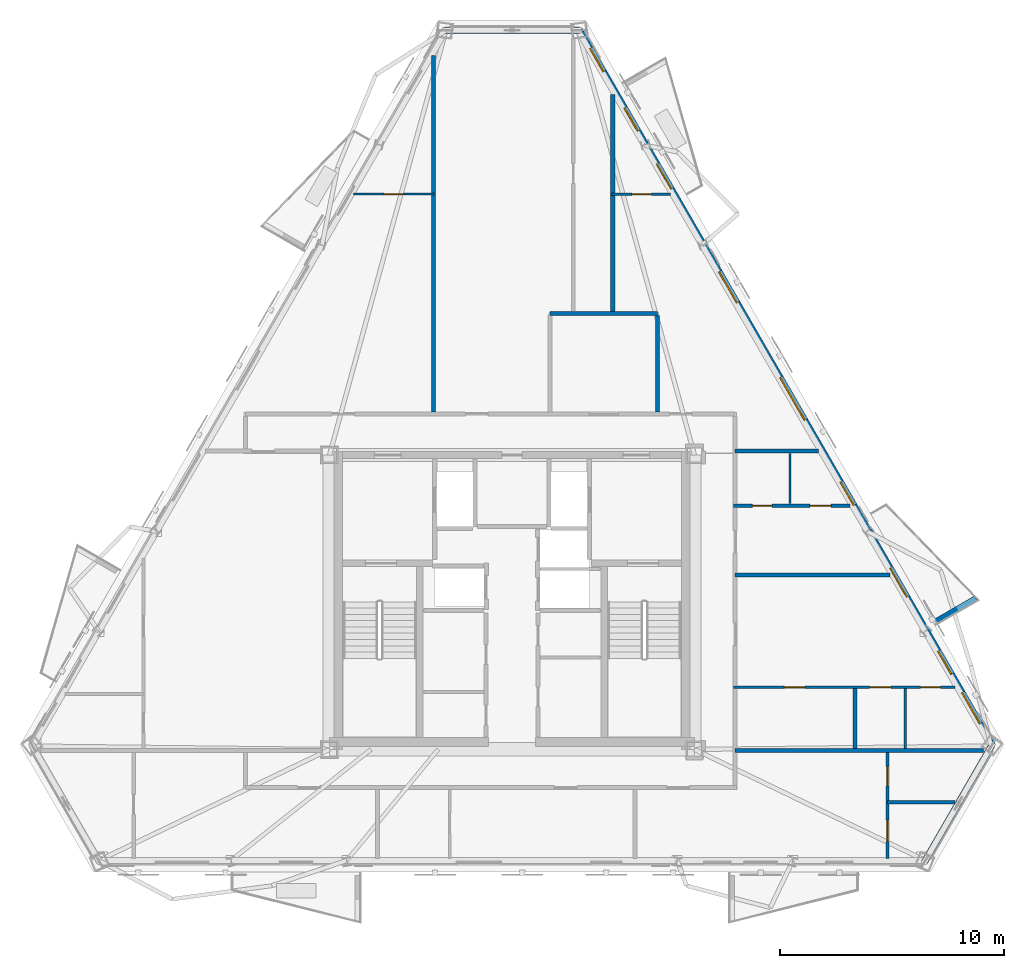
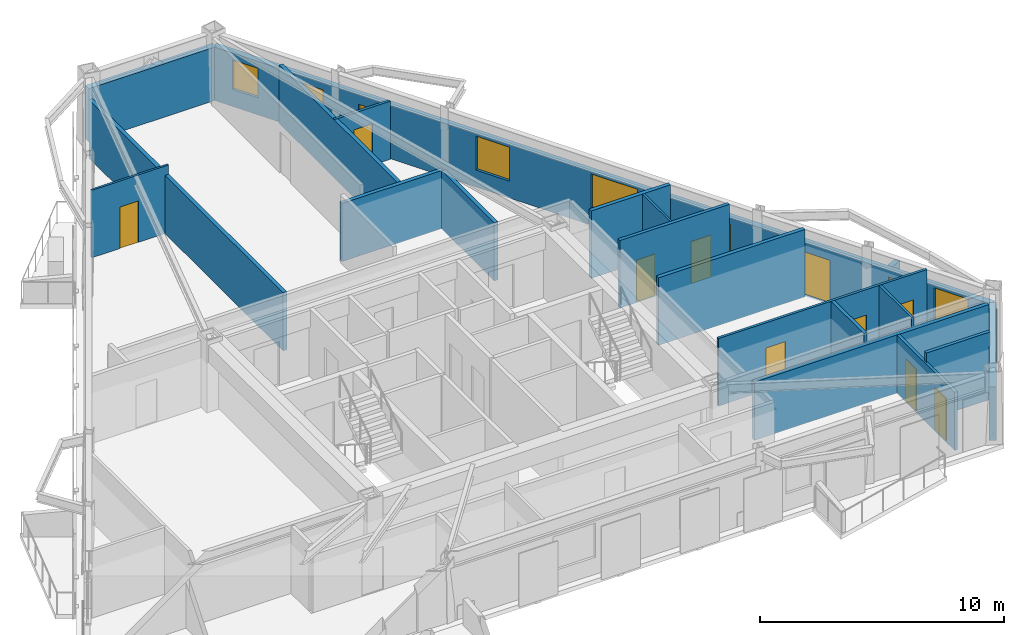
# One storey, part 5 of 9: 20 walls, 11 doors, 7 windows, 18 openings.
"""IFC4 building model written with IfcOpenShell, lengths in metres."""

import ifcopenshell
import ifcopenshell.guid

model = None  # the IFC model being written
_history = None  # IfcOwnerHistory: only IFC2X3 demands one
_inside = {}  # id of a spatial element -> (the spatial element, [elements in it])
_under = {}  # id of a project, library or spatial element -> (it, [spatial elements below it])
_declared = {}  # id of a project -> (the project, [libraries it declares])
_typed = {}  # id of a type object -> (the type object, [elements of that type])
_made_of = {}  # id of a material, layer set ... -> (it, [elements and type objects made of it])


def new_model(schema):
    """Start an empty IFC model of exactly this schema.

    Asked for "IFC4X3", IfcOpenShell would pick the latest addendum, in which some entities
    have other attributes; the version numbers below select the first issue.
    IFC2X3 requires an IfcOwnerHistory on every rooted entity: one is made here for all.
    """
    global model, _history
    if schema == "IFC4X3":
        model = ifcopenshell.file(schema_version=(4, 3, 0, 0))
    else:
        model = ifcopenshell.file(schema=schema)
    _inside.clear()
    _under.clear()
    _declared.clear()
    _typed.clear()
    _made_of.clear()
    _history = None
    if model.schema == "IFC2X3":
        org = make("IfcOrganization", Name="unknown")
        user = make(
            "IfcPersonAndOrganization",
            ThePerson=make("IfcPerson", FamilyName="unknown"),
            TheOrganization=org,
        )
        app = make(
            "IfcApplication",
            ApplicationDeveloper=org,
            Version="unknown",
            ApplicationFullName="unknown",
            ApplicationIdentifier="unknown",
        )
        _history = make(
            "IfcOwnerHistory",
            OwningUser=user,
            OwningApplication=app,
            ChangeAction="ADDED",
            CreationDate=0,
        )
    return model


def make(cls, **values):
    """One entity of the class cls with the attributes given. An attribute that is None is left unset."""
    return model.create_entity(
        cls, **{name: value for name, value in values.items() if value is not None}
    )


def rooted(cls, **values):
    """An entity with a GlobalId (a new one), such as an element, a storey or a relation."""
    return make(cls, GlobalId=ifcopenshell.guid.new(), OwnerHistory=_history, **values)


def si_unit(unit_type, name, prefix=None):
    """IfcSIUnit, for example si_unit("LENGTHUNIT", "METRE", prefix="MILLI")."""
    return make("IfcSIUnit", UnitType=unit_type, Prefix=prefix, Name=name)


def assignment(units):
    """IfcUnitAssignment: the units of a project."""
    return None if units is None else make("IfcUnitAssignment", Units=units)


def point(xyz):
    """IfcCartesianPoint."""
    return None if xyz is None else make("IfcCartesianPoint", Coordinates=xyz)


def direction(xyz):
    """IfcDirection."""
    return None if xyz is None else make("IfcDirection", DirectionRatios=xyz)


def frame(location, z_axis=None, x_axis=None):
    """IfcAxis2Placement3D, a coordinate frame: its origin and axes. An axis left out is left unset."""
    return make(
        "IfcAxis2Placement3D",
        Location=point(location),
        Axis=direction(z_axis),
        RefDirection=direction(x_axis),
    )


def frame_2d(location, x_axis=None):
    """IfcAxis2Placement2D, a coordinate frame in the plane: its origin and x axis."""
    return make(
        "IfcAxis2Placement2D", Location=point(location), RefDirection=direction(x_axis)
    )


def origin():
    """The frame at (0, 0, 0) with its axes left unset."""
    return frame((0.0, 0.0, 0.0))


def place(relative_to, where):
    """IfcLocalPlacement: puts the frame where relative to a parent placement (None: the world)."""
    return make(
        "IfcLocalPlacement", PlacementRelTo=relative_to, RelativePlacement=where
    )


def context(
    kind, dimensions, precision=None, world=None, true_north=None, identifier=None
):
    """IfcGeometricRepresentationContext, for example the 3D "Model" context."""
    return make(
        "IfcGeometricRepresentationContext",
        ContextIdentifier=identifier,
        ContextType=kind,
        CoordinateSpaceDimension=dimensions,
        Precision=precision,
        WorldCoordinateSystem=world,
        TrueNorth=true_north,
    )


def subcontext(parent, identifier, kind, view, scale=None):
    """IfcGeometricRepresentationSubContext, for example "Body" below "Model"."""
    return make(
        "IfcGeometricRepresentationSubContext",
        ContextIdentifier=identifier,
        ContextType=kind,
        ParentContext=parent,
        TargetScale=scale,
        TargetView=view,
    )


def project(units=None, contexts=None):
    """IfcProject with its units and contexts."""
    return rooted(
        "IfcProject",
        Name="project",
        RepresentationContexts=contexts,
        UnitsInContext=assignment(units),
    )


def spatial(cls, under=None, at=None, **own):
    """A site, building, storey or space (cls), placed at a placement, below another one or the project."""
    s = rooted(cls, ObjectPlacement=at, **own)
    if under is not None:
        _under.setdefault(under.id(), (under, []))[1].append(s)
    return s


def polyline(points):
    """IfcPolyline through the points."""
    return make("IfcPolyline", Points=[point(p) for p in points])


def profile(cls, at=None, kind="AREA", **sizes):
    """A parametric profile (cls). Its sizes go by their IFC names, for example OverallWidth=200.0."""
    return make(cls, ProfileType=kind, Position=at, **sizes)


def rectangle(**sizes):
    """IfcRectangleProfileDef."""
    return profile("IfcRectangleProfileDef", **sizes)


def outline(outer, holes=None, kind="AREA"):
    """IfcArbitraryClosedProfileDef: a profile drawn as a closed curve; with holes, ...WithVoids."""
    if holes is None:
        return make("IfcArbitraryClosedProfileDef", ProfileType=kind, OuterCurve=outer)
    return make(
        "IfcArbitraryProfileDefWithVoids",
        ProfileType=kind,
        OuterCurve=outer,
        InnerCurves=holes,
    )


def extrude(swept, where, along, depth):
    """IfcExtrudedAreaSolid: the profile swept, set in the frame where, extruded along a direction by depth."""
    return make(
        "IfcExtrudedAreaSolid",
        SweptArea=swept,
        Position=where,
        ExtrudedDirection=direction(along),
        Depth=depth,
    )


def shape(context_of_items, identifier, shape_type, items):
    """IfcShapeRepresentation: the items that make up one representation, for example the "Body"."""
    return make(
        "IfcShapeRepresentation",
        ContextOfItems=context_of_items,
        RepresentationIdentifier=identifier,
        RepresentationType=shape_type,
        Items=items,
    )


def material(Name=None, Category=None):
    """IfcMaterial."""
    return make("IfcMaterial", Name=Name, Category=Category)


def layer(
    of_material, thickness, ventilated=None, Name=None, Category=None, Priority=None
):
    """IfcMaterialLayer: one layer of a wall or slab, of a material (None: an air gap)."""
    return make(
        "IfcMaterialLayer",
        Material=of_material,
        LayerThickness=thickness,
        IsVentilated=ventilated,
        Name=Name,
        Category=Category,
        Priority=Priority,
    )


def layer_set(layers, Name=None):
    """IfcMaterialLayerSet."""
    return make("IfcMaterialLayerSet", MaterialLayers=layers, LayerSetName=Name)


def made_of(thing, what):
    """Note that an element or type object is made of a material, layer set ...; save() writes the relation."""
    if what is not None:
        _made_of.setdefault(what.id(), (what, []))[1].append(thing)
    return thing


def type_object(cls, material=None, **own):
    """A type object (cls), such as IfcWallType, which elements share."""
    return made_of(rooted(cls, **own), material)


def element(
    cls,
    number,
    at=None,
    inside=None,
    cuts=None,
    type_object=None,
    material=None,
    context=None,
    identifier="Body",
    shape_type=None,
    held_by="IfcProductDefinitionShape",
    body=None,
    shapes=None,
    **own,
):
    """One element of the class cls, such as IfcWall. Its Tag is "e" and its number.

    at: its placement. inside: the storey or other place that contains it. cuts: it is an
    opening in that element (IfcRelVoidsElement). A single representation is given by context,
    identifier, shape_type and body (its items); several are given by shapes. held_by: the class
    of the entity that holds the representations. save() writes the other relations.
    """
    e = rooted(cls, Tag="e%d" % number, ObjectPlacement=at, **own)
    if body is not None:
        shapes = [shape(context, identifier, shape_type, body)]
    if shapes is not None:
        e.Representation = make(held_by, Representations=shapes)
    if inside is not None:
        _inside.setdefault(inside.id(), (inside, []))[1].append(e)
    if cuts is not None:
        rooted(
            "IfcRelVoidsElement", RelatingBuildingElement=cuts, RelatedOpeningElement=e
        )
    if type_object is not None:
        _typed.setdefault(type_object.id(), (type_object, []))[1].append(e)
    return made_of(e, material)


def fill(opening, filler):
    """IfcRelFillsElement: the door or window that sits in an opening."""
    return rooted(
        "IfcRelFillsElement",
        RelatingOpeningElement=opening,
        RelatedBuildingElement=filler,
    )


def aggregate(whole, parts):
    """IfcRelAggregates: a whole, such as a stair, and the parts it consists of."""
    return rooted("IfcRelAggregates", RelatingObject=whole, RelatedObjects=parts)


def save(model, path):
    """Write the relations noted so far, then the file.

    IfcRelAggregates (storeys below a building ...), IfcRelContainedInSpatialStructure (elements
    in a storey), IfcRelDefinesByType, IfcRelAssociatesMaterial and IfcRelDeclares: one each for
    every whole, place, type object, material and project.
    """
    for whole, parts in _under.values():
        aggregate(whole, parts)
    for where, things in _inside.values():
        rooted(
            "IfcRelContainedInSpatialStructure",
            RelatedElements=things,
            RelatingStructure=where,
        )
    for kind, things in _typed.values():
        rooted("IfcRelDefinesByType", RelatedObjects=things, RelatingType=kind)
    for what, things in _made_of.values():
        rooted("IfcRelAssociatesMaterial", RelatedObjects=things, RelatingMaterial=what)
    for by, libraries in _declared.values():
        rooted("IfcRelDeclares", RelatingContext=by, RelatedDefinitions=libraries)
    model.write(path)


model = new_model("IFC4")

# Units and contexts
model_context = context("Model", 3, precision=1e-05, world=origin(), true_north=direction((0.0, 1.0)))
body_context = subcontext(model_context, "Body", "Model", "MODEL_VIEW")
ifc_project = project(units=[si_unit("LENGTHUNIT", "METRE"), si_unit("AREAUNIT", "SQUARE_METRE"), si_unit("VOLUMEUNIT", "CUBIC_METRE"), si_unit("PLANEANGLEUNIT", "RADIAN"), si_unit("MASSUNIT", "GRAM", prefix="KILO")], contexts=[model_context])

# Site, building, storey
site_placement = place(None, origin())
site = spatial("IfcSite", under=ifc_project, at=site_placement, CompositionType="ELEMENT")
building_placement = place(site_placement, origin())
building = spatial("IfcBuilding", under=site, at=building_placement, Name="Oramaril Tower", CompositionType="ELEMENT")
storey_placement = place(building_placement, frame((0.0, 0.0, 234.300048828125)))
storey = spatial("IfcBuildingStorey", under=building, at=storey_placement, Name="L62", CompositionType="ELEMENT", Elevation=234.300048828125)

# Wall
ifc_material_1 = material(Name="Warm Cream Limestone", Category="masonry")
ifc_layer_1 = layer(ifc_material_1, 0.2900390625)
ifc_layer_set_1 = layer_set([ifc_layer_1], Name="WT-EXT29")
wall_type_1 = type_object("IfcWallType", Name="WT-EXT29", PredefinedType="SOLIDWALL", material=ifc_layer_set_1)
wall_1_placement = place(storey_placement, frame((55.923828125, 5.978515625, 0.0), z_axis=(0.0, 0.0, 1.0), x_axis=(0.500032931097, 0.866006390172, 0.0)))
element("IfcWall", 1, at=wall_1_placement, inside=storey, type_object=wall_type_1, Name="L62 Tower Limestone Facade Wall 3M", PredefinedType="SOLIDWALL", context=body_context, shape_type="SweptSolid", body=[
    extrude(rectangle(XDim=6.03515625, YDim=0.2900390625, at=frame_2d((3.017578125, 0.0))), origin(), (0.0, 0.0, 1.0), 2.677001953125),
])

# Wall, openings, doors, windows
wall_2_placement = place(storey_placement, frame((58.941650390625, 11.205078125, 0.0), z_axis=(0.0, 0.0, 1.0), x_axis=(-0.500000614513, 0.866025048995, 0.0)))
wall_2 = element("IfcWall", 2, at=wall_2_placement, inside=storey, type_object=wall_type_1, Name="L62 Tower Limestone Facade Wall 4M", PredefinedType="SOLIDWALL", context=body_context, shape_type="SweptSolid", body=[
    extrude(rectangle(XDim=36.84814453125, YDim=0.2900390625, at=frame_2d((18.424072265625, 0.0))), origin(), (0.0, 0.0, 1.0), 2.677001953125),
])
opening_1_placement = place(wall_2_placement, frame((7.614501953125, 0.0, 0.0)))
opening_1 = element("IfcOpeningElement", 3, at=opening_1_placement, cuts=wall_2, Name="Opening D-L62-BAL-NE1", PredefinedType="OPENING", context=body_context, shape_type="SweptSolid", body=[
    extrude(rectangle(XDim=1.5, YDim=2.199951171875, at=frame_2d((0.75, 1.10009765625))), frame((0.0, 0.14501953125, 0.0), z_axis=(0.0, -1.0, 0.0), x_axis=(1.0, 0.0, 0.0)), (0.0, 0.0, 1.0), 0.2900390625),
])
opening_2_placement = place(wall_2_placement, frame((28.658447265625, 0.0, 0.0)))
opening_2 = element("IfcOpeningElement", 4, at=opening_2_placement, cuts=wall_2, Name="Opening D-L62-BAL-NE2", PredefinedType="OPENING", context=body_context, shape_type="SweptSolid", body=[
    extrude(rectangle(XDim=1.300048828125, YDim=2.199951171875, at=frame_2d((0.64990234375, 1.10009765625))), frame((0.0, 0.14501953125, 0.0), z_axis=(0.0, -1.0, 0.0), x_axis=(1.0, 0.0, 0.0)), (0.0, 0.0, 1.0), 0.2900390625),
])
opening_3_placement = place(wall_2_placement, frame((3.643310546875, 0.0, 0.85009765625)))
opening_3 = element("IfcOpeningElement", 5, at=opening_3_placement, cuts=wall_2, Name="Opening WN-09", PredefinedType="OPENING", context=body_context, shape_type="SweptSolid", body=[
    extrude(rectangle(XDim=1.199951171875, YDim=1.47998046875, at=frame_2d((0.60009765625, 0.739990234375))), frame((0.0, 0.14501953125, 0.0), z_axis=(0.0, -1.0, 0.0), x_axis=(1.0, 0.0, 0.0)), (0.0, 0.0, 1.0), 0.2900390625),
])
opening_4_placement = place(wall_2_placement, frame((1.090087890625, 0.0, 0.85009765625)))
opening_4 = element("IfcOpeningElement", 6, at=opening_4_placement, cuts=wall_2, Name="Opening WN-07", PredefinedType="OPENING", context=body_context, shape_type="SweptSolid", body=[
    extrude(rectangle(XDim=1.60009765625, YDim=1.699951171875, at=frame_2d((0.800048828125, 0.85009765625))), frame((0.0, 0.14501953125, 0.0), z_axis=(0.0, -1.0, 0.0), x_axis=(1.0, 0.0, 0.0)), (0.0, 0.0, 1.0), 0.2900390625),
])
opening_5_placement = place(wall_2_placement, frame((34.713623046875, 0.0, 0.85009765625)))
opening_5 = element("IfcOpeningElement", 7, at=opening_5_placement, cuts=wall_2, Name="Opening WN-09", PredefinedType="OPENING", context=body_context, shape_type="SweptSolid", body=[
    extrude(rectangle(XDim=1.199951171875, YDim=1.47998046875, at=frame_2d((0.60009765625, 0.739990234375))), frame((0.0, 0.14501953125, 0.0), z_axis=(0.0, -1.0, 0.0), x_axis=(1.0, 0.0, 0.0)), (0.0, 0.0, 1.0), 0.2900390625),
])
opening_6_placement = place(wall_2_placement, frame((31.64794921875, 0.0, 0.85009765625)))
opening_6 = element("IfcOpeningElement", 8, at=opening_6_placement, cuts=wall_2, Name="Opening WN-09", PredefinedType="OPENING", context=body_context, shape_type="SweptSolid", body=[
    extrude(rectangle(XDim=1.199951171875, YDim=1.47998046875, at=frame_2d((0.60009765625, 0.739990234375))), frame((0.0, 0.14501953125, 0.0), z_axis=(0.0, -1.0, 0.0), x_axis=(1.0, 0.0, 0.0)), (0.0, 0.0, 1.0), 0.2900390625),
])
opening_7_placement = place(wall_2_placement, frame((16.73779296875, 0.0, 0.85009765625)))
opening_7 = element("IfcOpeningElement", 9, at=opening_7_placement, cuts=wall_2, Name="Opening WN-04", PredefinedType="OPENING", context=body_context, shape_type="SweptSolid", body=[
    extrude(rectangle(XDim=2.199951171875, YDim=1.717041015625, at=frame_2d((1.10009765625, 0.8583984375))), frame((0.0, 0.14501953125, 0.0), z_axis=(0.0, -1.0, 0.0), x_axis=(1.0, 0.0, 0.0)), (0.0, 0.0, 1.0), 0.2900390625),
])
opening_8_placement = place(wall_2_placement, frame((22.79443359375, 0.0, 0.85009765625)))
opening_8 = element("IfcOpeningElement", 10, at=opening_8_placement, cuts=wall_2, Name="Opening WN-07", PredefinedType="OPENING", context=body_context, shape_type="SweptSolid", body=[
    extrude(rectangle(XDim=1.60009765625, YDim=1.699951171875, at=frame_2d((0.800048828125, 0.85009765625))), frame((0.0, 0.14501953125, 0.0), z_axis=(0.0, -1.0, 0.0), x_axis=(1.0, 0.0, 0.0)), (0.0, 0.0, 1.0), 0.2900390625),
])
opening_9_placement = place(wall_2_placement, frame((12.34912109375, 0.0, 0.85009765625)))
opening_9 = element("IfcOpeningElement", 11, at=opening_9_placement, cuts=wall_2, Name="Opening WN-09", PredefinedType="OPENING", context=body_context, shape_type="SweptSolid", body=[
    extrude(rectangle(XDim=1.199951171875, YDim=1.47998046875, at=frame_2d((0.60009765625, 0.739990234375))), frame((0.0, 0.14501953125, 0.0), z_axis=(0.0, -1.0, 0.0), x_axis=(1.0, 0.0, 0.0)), (0.0, 0.0, 1.0), 0.2900390625),
])
ifc_material_2 = material(Name="Anodised Aluminium 6063-T6", Category="aluminium")
door_type_1 = type_object("IfcDoorType", Name="DT-BAL", OperationType="NOTDEFINED", PredefinedType="DOOR", material=ifc_material_2)
door_1_placement = place(opening_1_placement, origin())
door_1 = element("IfcDoor", 12, at=door_1_placement, inside=storey, type_object=door_type_1, Name="L62 Balcony Glazed Door L62-BAL-NE1", OperationType="SINGLE_SWING_LEFT", OverallHeight=2.199951171875, OverallWidth=1.5, PredefinedType="DOOR", context=body_context, shape_type="SweptSolid", body=[
    extrude(rectangle(XDim=1.5, YDim=2.199951171875, at=frame_2d((0.75, 1.10009765625))), frame((0.0, 0.02490234375, 0.0), z_axis=(0.0, -1.0, 0.0), x_axis=(1.0, 0.0, 0.0)), (0.0, 0.0, 1.0), 0.050048828125),
])
fill(opening_1, door_1)
ifc_material_3 = material(Name="Anodised Aluminium 6063-T6", Category="aluminium")
door_type_2 = type_object("IfcDoorType", Name="DT-E2", OperationType="NOTDEFINED", PredefinedType="DOOR", material=ifc_material_3)
door_2_placement = place(opening_2_placement, origin())
door_2 = element("IfcDoor", 13, at=door_2_placement, inside=storey, type_object=door_type_2, Name="L62 Balcony Glazed Door L62-BAL-NE2", OperationType="SINGLE_SWING_RIGHT", OverallHeight=2.199951171875, OverallWidth=1.300048828125, PredefinedType="DOOR", context=body_context, shape_type="SweptSolid", body=[
    extrude(rectangle(XDim=1.300048828125, YDim=2.199951171875, at=frame_2d((0.64990234375, 1.10009765625))), frame((0.0, 0.02490234375, 0.0), z_axis=(0.0, -1.0, 0.0), x_axis=(1.0, 0.0, 0.0)), (0.0, 0.0, 1.0), 0.050048828125),
])
fill(opening_2, door_2)
ifc_material_4 = material(Name="Coastal Low-E Insulated Glass", Category="glass")
window_type_1 = type_object("IfcWindowType", Name="WNT-04", PartitioningType="SINGLE_PANEL", PredefinedType="WINDOW", material=ifc_material_4)
window_1_placement = place(opening_7_placement, origin())
window_1 = element("IfcWindow", 14, at=window_1_placement, inside=storey, type_object=window_type_1, Name="L62 Chicago Bay Window WN-04", OverallHeight=1.717041015625, OverallWidth=2.199951171875, PartitioningType="SINGLE_PANEL", PredefinedType="WINDOW", context=body_context, shape_type="SweptSolid", body=[
    extrude(rectangle(XDim=2.199951171875, YDim=1.717041015625, at=frame_2d((1.10009765625, 0.8583984375))), frame((0.0, 0.030029296875, 0.0), z_axis=(0.0, -1.0, 0.0), x_axis=(1.0, 0.0, 0.0)), (0.0, 0.0, 1.0), 0.06005859375),
])
fill(opening_7, window_1)
ifc_material_5 = material(Name="Coastal Low-E Insulated Glass", Category="glass")
window_type_2 = type_object("IfcWindowType", Name="WNT-07", PartitioningType="SINGLE_PANEL", PredefinedType="WINDOW", material=ifc_material_5)
window_2_placement = place(opening_4_placement, origin())
window_2 = element("IfcWindow", 15, at=window_2_placement, inside=storey, type_object=window_type_2, Name="L62 Chicago Bay Window WN-07", OverallHeight=1.699951171875, OverallWidth=1.60009765625, PartitioningType="SINGLE_PANEL", PredefinedType="WINDOW", context=body_context, shape_type="SweptSolid", body=[
    extrude(rectangle(XDim=1.60009765625, YDim=1.699951171875, at=frame_2d((0.800048828125, 0.85009765625))), frame((0.0, 0.030029296875, 0.0), z_axis=(0.0, -1.0, 0.0), x_axis=(1.0, 0.0, 0.0)), (0.0, 0.0, 1.0), 0.06005859375),
])
fill(opening_4, window_2)
window_3_placement = place(opening_8_placement, origin())
window_3 = element("IfcWindow", 16, at=window_3_placement, inside=storey, type_object=window_type_2, Name="L62 Chicago Bay Window WN-07", OverallHeight=1.699951171875, OverallWidth=1.60009765625, PartitioningType="SINGLE_PANEL", PredefinedType="WINDOW", context=body_context, shape_type="SweptSolid", body=[
    extrude(rectangle(XDim=1.60009765625, YDim=1.699951171875, at=frame_2d((0.800048828125, 0.85009765625))), frame((0.0, 0.030029296875, 0.0), z_axis=(0.0, -1.0, 0.0), x_axis=(1.0, 0.0, 0.0)), (0.0, 0.0, 1.0), 0.06005859375),
])
fill(opening_8, window_3)
ifc_material_6 = material(Name="Coastal Low-E Insulated Glass", Category="glass")
window_type_3 = type_object("IfcWindowType", Name="WNT-09", PartitioningType="SINGLE_PANEL", PredefinedType="WINDOW", material=ifc_material_6)
window_4_placement = place(opening_3_placement, origin())
window_4 = element("IfcWindow", 17, at=window_4_placement, inside=storey, type_object=window_type_3, Name="L62 Chicago Bay Window WN-09", OverallHeight=1.47998046875, OverallWidth=1.199951171875, PartitioningType="SINGLE_PANEL", PredefinedType="WINDOW", context=body_context, shape_type="SweptSolid", body=[
    extrude(rectangle(XDim=1.199951171875, YDim=1.47998046875, at=frame_2d((0.60009765625, 0.739990234375))), frame((0.0, 0.030029296875, 0.0), z_axis=(0.0, -1.0, 0.0), x_axis=(1.0, 0.0, 0.0)), (0.0, 0.0, 1.0), 0.06005859375),
])
fill(opening_3, window_4)
window_5_placement = place(opening_5_placement, origin())
window_5 = element("IfcWindow", 18, at=window_5_placement, inside=storey, type_object=window_type_3, Name="L62 Chicago Bay Window WN-09", OverallHeight=1.47998046875, OverallWidth=1.199951171875, PartitioningType="SINGLE_PANEL", PredefinedType="WINDOW", context=body_context, shape_type="SweptSolid", body=[
    extrude(rectangle(XDim=1.199951171875, YDim=1.47998046875, at=frame_2d((0.60009765625, 0.739990234375))), frame((0.0, 0.030029296875, 0.0), z_axis=(0.0, -1.0, 0.0), x_axis=(1.0, 0.0, 0.0)), (0.0, 0.0, 1.0), 0.06005859375),
])
fill(opening_5, window_5)
window_6_placement = place(opening_6_placement, origin())
window_6 = element("IfcWindow", 19, at=window_6_placement, inside=storey, type_object=window_type_3, Name="L62 Chicago Bay Window WN-09", OverallHeight=1.47998046875, OverallWidth=1.199951171875, PartitioningType="SINGLE_PANEL", PredefinedType="WINDOW", context=body_context, shape_type="SweptSolid", body=[
    extrude(rectangle(XDim=1.199951171875, YDim=1.47998046875, at=frame_2d((0.60009765625, 0.739990234375))), frame((0.0, 0.030029296875, 0.0), z_axis=(0.0, -1.0, 0.0), x_axis=(1.0, 0.0, 0.0)), (0.0, 0.0, 1.0), 0.06005859375),
])
fill(opening_6, window_6)
window_7_placement = place(opening_9_placement, origin())
window_7 = element("IfcWindow", 20, at=window_7_placement, inside=storey, type_object=window_type_3, Name="L62 Apartment Bedroom Window WN-09", OverallHeight=1.47998046875, OverallWidth=1.199951171875, PartitioningType="SINGLE_PANEL", PredefinedType="WINDOW", context=body_context, shape_type="SweptSolid", body=[
    extrude(rectangle(XDim=1.199951171875, YDim=1.47998046875, at=frame_2d((0.60009765625, 0.739990234375))), frame((0.0, 0.030029296875, 0.0), z_axis=(0.0, -1.0, 0.0), x_axis=(1.0, 0.0, 0.0)), (0.0, 0.0, 1.0), 0.06005859375),
])
fill(opening_9, window_7)

# Walls
wall_3_placement = place(storey_placement, frame((40.517578125, 43.116455078125, 0.0), z_axis=(0.0, 0.0, 1.0), x_axis=(-1.0, 0.0, 0.0)))
element("IfcWall", 21, at=wall_3_placement, inside=storey, type_object=wall_type_1, Name="L62 Tower Limestone Facade Wall 5M", PredefinedType="SOLIDWALL", context=body_context, shape_type="SweptSolid", body=[
    extrude(rectangle(XDim=6.03515625, YDim=0.2900390625, at=frame_2d((3.017578125, 0.0))), origin(), (0.0, 0.0, 1.0), 2.677001953125),
])
ifc_material_7 = material(Name="Concrete C40/50", Category="concrete")
ifc_layer_2 = layer(ifc_material_7, 0.22998046875)
ifc_layer_set_2 = layer_set([ifc_layer_2], Name="WT-PRP23")
wall_type_2 = type_object("IfcWallType", Name="WT-PRP23", PredefinedType="PARAPET", material=ifc_layer_set_2)
wall_4_placement = place(storey_placement, frame((56.439697265625, 16.734619140625, 0.0), z_axis=(0.0, 0.0, 1.0), x_axis=(0.866042246008, 0.499970827278, 0.0)))
element("IfcWall", 22, at=wall_4_placement, inside=storey, type_object=wall_type_2, Name="L62 Trapezoidal Balcony Frame Cheek L62-BAL-NE1-L", PredefinedType="PARAPET", context=body_context, shape_type="SweptSolid", body=[
    extrude(outline(polyline([(0.0, 0.0), (2.0419921875, 0.0), (2.0419921875, 1.099853515625), (0.0, 1.320068359375), (0.0, 0.0)])), frame((0.0, 0.114990234375, 0.0), z_axis=(0.0, -1.0, 0.0), x_axis=(1.0, 0.0, 0.0)), (0.0, 0.0, 1.0), 0.22998046875),
])

# Wall, opening, door
ifc_material_8 = material(Name="Acoustic Gypsum Board Partition")
ifc_layer_3 = layer(ifc_material_8, 0.10009765625)
ifc_layer_set_3 = layer_set([ifc_layer_3], Name="WT-PT10")
wall_type_3 = type_object("IfcWallType", Name="WT-PT10", PredefinedType="PARTITIONING", material=ifc_layer_set_3)
wall_5_placement = place(storey_placement, frame((30.43017578125, 35.800048828125, 0.0), z_axis=(0.0, 0.0, 1.0), x_axis=(1.0, 0.0, 0.0)))
wall_5 = element("IfcWall", 23, at=wall_5_placement, inside=storey, type_object=wall_type_3, Name="L62 Interior Partition PT-10", PredefinedType="PARTITIONING", context=body_context, shape_type="SweptSolid", body=[
    extrude(rectangle(XDim=3.65185546875, YDim=0.10009765625, at=frame_2d((1.825927734375, 0.0))), origin(), (0.0, 0.0, 1.0), 3.3798828125),
])
opening_10_placement = place(wall_5_placement, frame((1.3447265625, 0.0, 0.0)))
opening_10 = element("IfcOpeningElement", 24, at=opening_10_placement, cuts=wall_5, Name="Opening D-L62-15", PredefinedType="OPENING", context=body_context, shape_type="SweptSolid", body=[
    extrude(rectangle(XDim=0.8798828125, YDim=2.080078125, at=frame_2d((0.43994140625, 1.0400390625))), frame((0.0, 0.050048828125, 0.0), z_axis=(0.0, -1.0, 0.0), x_axis=(1.0, 0.0, 0.0)), (0.0, 0.0, 1.0), 0.10009765625),
])
ifc_material_9 = material(Name="FSC Brazilian Freijo Hardwood", Category="wood")
door_type_3 = type_object("IfcDoorType", Name="DT-BATH", OperationType="NOTDEFINED", PredefinedType="DOOR", material=ifc_material_9)
door_3_placement = place(opening_10_placement, origin())
door_3 = element("IfcDoor", 25, at=door_3_placement, inside=storey, type_object=door_type_3, Name="L62 Flat L62-U7 Bathroom Door D-L62-15", OperationType="SINGLE_SWING_LEFT", OverallHeight=2.080078125, OverallWidth=0.8798828125, PredefinedType="DOOR", context=body_context, shape_type="SweptSolid", body=[
    extrude(rectangle(XDim=0.8798828125, YDim=2.080078125, at=frame_2d((0.43994140625, 1.0400390625))), frame((0.0, 0.02490234375, 0.0), z_axis=(0.0, -1.0, 0.0), x_axis=(1.0, 0.0, 0.0)), (0.0, 0.0, 1.0), 0.050048828125),
])
fill(opening_10, door_3)

# Wall
wall_6_placement = place(storey_placement, frame((49.919921875, 21.97412109375, 0.0), z_axis=(0.0, 0.0, 1.0), x_axis=(0.0, 1.0, 0.0)))
element("IfcWall", 26, at=wall_6_placement, inside=storey, type_object=wall_type_3, Name="L62 Interior Partition PT-10", PredefinedType="PARTITIONING", context=body_context, shape_type="SweptSolid", body=[
    extrude(rectangle(XDim=2.251953125, YDim=0.10009765625, at=frame_2d((1.1259765625, 0.0))), origin(), (0.0, 0.0, 1.0), 3.3798828125),
])

# Wall, openings, doors
ifc_material_10 = material(Name="Acoustic Gypsum Board Partition")
ifc_layer_4 = layer(ifc_material_10, 0.1201171875)
ifc_layer_set_4 = layer_set([ifc_layer_4], Name="WT-PT12")
wall_type_4 = type_object("IfcWallType", Name="WT-PT12", PredefinedType="PARTITIONING", material=ifc_layer_set_4)
wall_7_placement = place(storey_placement, frame((47.39990234375, 13.780029296875, 0.0), z_axis=(0.0, 0.0, 1.0), x_axis=(1.0, 0.0, 0.0)))
wall_7 = element("IfcWall", 27, at=wall_7_placement, inside=storey, type_object=wall_type_4, Name="L62 Interior Partition PT-12", PredefinedType="PARTITIONING", context=body_context, shape_type="SweptSolid", body=[
    extrude(rectangle(XDim=9.883056640625, YDim=0.1201171875, at=frame_2d((4.94140625, 0.0))), origin(), (0.0, 0.0, 1.0), 3.3798828125),
])
opening_11_placement = place(wall_7_placement, frame((2.26220703125, 0.0, 0.0)))
opening_11 = element("IfcOpeningElement", 28, at=opening_11_placement, cuts=wall_7, Name="Opening D-L62-04", PredefinedType="OPENING", context=body_context, shape_type="SweptSolid", body=[
    extrude(rectangle(XDim=0.919921875, YDim=2.1201171875, at=frame_2d((0.4599609375, 1.06005859375))), frame((0.0, 0.06005859375, 0.0), z_axis=(0.0, -1.0, 0.0), x_axis=(1.0, 0.0, 0.0)), (0.0, 0.0, 1.0), 0.1201171875),
])
opening_12_placement = place(wall_7_placement, frame((6.068603515625, 0.0, 0.0)))
opening_12 = element("IfcOpeningElement", 29, at=opening_12_placement, cuts=wall_7, Name="Opening D-L62-05", PredefinedType="OPENING", context=body_context, shape_type="SweptSolid", body=[
    extrude(rectangle(XDim=0.949951171875, YDim=2.10009765625, at=frame_2d((0.47509765625, 1.050048828125))), frame((0.0, 0.06005859375, 0.0), z_axis=(0.0, -1.0, 0.0), x_axis=(1.0, 0.0, 0.0)), (0.0, 0.0, 1.0), 0.1201171875),
])
opening_13_placement = place(wall_7_placement, frame((8.348388671875, 0.0, 0.0)))
opening_13 = element("IfcOpeningElement", 30, at=opening_13_placement, cuts=wall_7, Name="Opening D-L62-06", PredefinedType="OPENING", context=body_context, shape_type="SweptSolid", body=[
    extrude(rectangle(XDim=0.8798828125, YDim=2.080078125, at=frame_2d((0.43994140625, 1.0400390625))), frame((0.0, 0.06005859375, 0.0), z_axis=(0.0, -1.0, 0.0), x_axis=(1.0, 0.0, 0.0)), (0.0, 0.0, 1.0), 0.1201171875),
])
door_4_placement = place(opening_13_placement, origin())
door_4 = element("IfcDoor", 31, at=door_4_placement, inside=storey, type_object=door_type_3, Name="L62 Flat L62-U5 Bathroom Door D-L62-06", OperationType="SINGLE_SWING_RIGHT", OverallHeight=2.080078125, OverallWidth=0.8798828125, PredefinedType="DOOR", context=body_context, shape_type="SweptSolid", body=[
    extrude(rectangle(XDim=0.8798828125, YDim=2.080078125, at=frame_2d((0.43994140625, 1.0400390625))), frame((0.0, 0.02490234375, 0.0), z_axis=(0.0, -1.0, 0.0), x_axis=(1.0, 0.0, 0.0)), (0.0, 0.0, 1.0), 0.050048828125),
])
fill(opening_13, door_4)
ifc_material_11 = material(Name="FSC Brazilian Freijo Hardwood", Category="wood")
door_type_4 = type_object("IfcDoorType", Name="DT-BED", OperationType="NOTDEFINED", PredefinedType="DOOR", material=ifc_material_11)
door_5_placement = place(opening_11_placement, origin())
door_5 = element("IfcDoor", 32, at=door_5_placement, inside=storey, type_object=door_type_4, Name="L62 Flat L62-U5 Master Bedroom Door D-L62-04", OperationType="SINGLE_SWING_RIGHT", OverallHeight=2.1201171875, OverallWidth=0.919921875, PredefinedType="DOOR", context=body_context, shape_type="SweptSolid", body=[
    extrude(rectangle(XDim=0.919921875, YDim=2.1201171875, at=frame_2d((0.4599609375, 1.06005859375))), frame((0.0, 0.02490234375, 0.0), z_axis=(0.0, -1.0, 0.0), x_axis=(1.0, 0.0, 0.0)), (0.0, 0.0, 1.0), 0.050048828125),
])
fill(opening_11, door_5)
ifc_material_12 = material(Name="FSC Brazilian Freijo Hardwood", Category="wood")
door_type_5 = type_object("IfcDoorType", Name="DT-STDY", OperationType="NOTDEFINED", PredefinedType="DOOR", material=ifc_material_12)
door_6_placement = place(opening_12_placement, origin())
door_6 = element("IfcDoor", 33, at=door_6_placement, inside=storey, type_object=door_type_5, Name="L62 Flat L62-U5 Kitchen Door D-L62-05", OperationType="SINGLE_SWING_LEFT", OverallHeight=2.10009765625, OverallWidth=0.949951171875, PredefinedType="DOOR", context=body_context, shape_type="SweptSolid", body=[
    extrude(rectangle(XDim=0.949951171875, YDim=2.10009765625, at=frame_2d((0.47509765625, 1.050048828125))), frame((0.0, 0.02490234375, 0.0), z_axis=(0.0, -1.0, 0.0), x_axis=(1.0, 0.0, 0.0)), (0.0, 0.0, 1.0), 0.050048828125),
])
fill(opening_12, door_6)

# Wall, opening, door
wall_8_placement = place(storey_placement, frame((41.91796875, 35.7900390625, 0.0), z_axis=(0.0, 0.0, 1.0), x_axis=(1.0, 0.0, 0.0)))
wall_8 = element("IfcWall", 34, at=wall_8_placement, inside=storey, type_object=wall_type_4, Name="L62 Interior Partition PT-12", PredefinedType="PARTITIONING", context=body_context, shape_type="SweptSolid", body=[
    extrude(rectangle(XDim=2.657470703125, YDim=0.1201171875, at=frame_2d((1.32861328125, 0.0))), origin(), (0.0, 0.0, 1.0), 2.912841796875),
])
opening_14_placement = place(wall_8_placement, frame((0.93017578125, 0.0, 0.0)))
opening_14 = element("IfcOpeningElement", 35, at=opening_14_placement, cuts=wall_8, Name="Opening D-L62-14", PredefinedType="OPENING", context=body_context, shape_type="SweptSolid", body=[
    extrude(rectangle(XDim=0.8798828125, YDim=2.080078125, at=frame_2d((0.43994140625, 1.0400390625))), frame((0.0, 0.06005859375, 0.0), z_axis=(0.0, -1.0, 0.0), x_axis=(1.0, 0.0, 0.0)), (0.0, 0.0, 1.0), 0.1201171875),
])
door_7_placement = place(opening_14_placement, origin())
door_7 = element("IfcDoor", 36, at=door_7_placement, inside=storey, type_object=door_type_3, Name="L62 Flat L62-U9 Bathroom Door D-L62-14", OperationType="SINGLE_SWING_RIGHT", OverallHeight=2.080078125, OverallWidth=0.8798828125, PredefinedType="DOOR", context=body_context, shape_type="SweptSolid", body=[
    extrude(rectangle(XDim=0.8798828125, YDim=2.080078125, at=frame_2d((0.43994140625, 1.0400390625))), frame((0.0, 0.02490234375, 0.0), z_axis=(0.0, -1.0, 0.0), x_axis=(1.0, 0.0, 0.0)), (0.0, 0.0, 1.0), 0.050048828125),
])
fill(opening_14, door_7)

# Wall
wall_9_placement = place(storey_placement, frame((55.06005859375, 11.0439453125, 0.0), z_axis=(0.0, 0.0, 1.0), x_axis=(0.0, 1.0, 0.0)))
element("IfcWall", 37, at=wall_9_placement, inside=storey, type_object=wall_type_4, Name="L62 Interior Partition PT-12", PredefinedType="PARTITIONING", context=body_context, shape_type="SweptSolid", body=[
    extrude(rectangle(XDim=2.672119140625, YDim=0.1201171875, at=frame_2d((1.3359375, 0.0))), origin(), (0.0, 0.0, 1.0), 3.3798828125),
])

# Wall, openings, doors
ifc_material_13 = material(Name="Acoustic Gypsum Board Partition")
ifc_layer_5 = layer(ifc_material_13, 0.139892578125)
ifc_layer_set_5 = layer_set([ifc_layer_5], Name="WT-PT14")
wall_type_5 = type_object("IfcWallType", Name="WT-PT14", PredefinedType="PARTITIONING", material=ifc_layer_set_5)
wall_10_placement = place(storey_placement, frame((54.27001953125, 6.12744140625, 0.0), z_axis=(0.0, 0.0, 1.0), x_axis=(0.0, 1.0, 0.0)))
wall_10 = element("IfcWall", 38, at=wall_10_placement, inside=storey, type_object=wall_type_5, Name="L62 Interior Partition PT-14", PredefinedType="PARTITIONING", context=body_context, shape_type="SweptSolid", body=[
    extrude(rectangle(XDim=4.728515625, YDim=0.139892578125, at=frame_2d((2.3642578125, 0.0))), origin(), (0.0, 0.0, 1.0), 2.912841796875),
])
opening_15_placement = place(wall_10_placement, frame((0.76513671875, 0.0, 0.0)))
opening_15 = element("IfcOpeningElement", 39, at=opening_15_placement, cuts=wall_10, Name="Opening D-L62-23", PredefinedType="OPENING", context=body_context, shape_type="SweptSolid", body=[
    extrude(rectangle(XDim=0.949951171875, YDim=2.10009765625, at=frame_2d((0.47509765625, 1.050048828125))), frame((0.0, 0.06982421875, 0.0), z_axis=(0.0, -1.0, 0.0), x_axis=(1.0, 0.0, 0.0)), (0.0, 0.0, 1.0), 0.139892578125),
])
opening_16_placement = place(wall_10_placement, frame((3.240966796875, 0.0, 0.0)))
opening_16 = element("IfcOpeningElement", 40, at=opening_16_placement, cuts=wall_10, Name="Opening D-L62-24", PredefinedType="OPENING", context=body_context, shape_type="SweptSolid", body=[
    extrude(rectangle(XDim=0.8798828125, YDim=2.080078125, at=frame_2d((0.43994140625, 1.0400390625))), frame((0.0, 0.06982421875, 0.0), z_axis=(0.0, -1.0, 0.0), x_axis=(1.0, 0.0, 0.0)), (0.0, 0.0, 1.0), 0.139892578125),
])
door_8_placement = place(opening_16_placement, origin())
door_8 = element("IfcDoor", 41, at=door_8_placement, inside=storey, type_object=door_type_3, Name="L62 Flat L62-U3 Bathroom Door D-L62-24", OperationType="SINGLE_SWING_RIGHT", OverallHeight=2.080078125, OverallWidth=0.8798828125, PredefinedType="DOOR", context=body_context, shape_type="SweptSolid", body=[
    extrude(rectangle(XDim=0.8798828125, YDim=2.080078125, at=frame_2d((0.43994140625, 1.0400390625))), frame((0.0, 0.02490234375, 0.0), z_axis=(0.0, -1.0, 0.0), x_axis=(1.0, 0.0, 0.0)), (0.0, 0.0, 1.0), 0.050048828125),
])
fill(opening_16, door_8)
door_9_placement = place(opening_15_placement, origin())
door_9 = element("IfcDoor", 42, at=door_9_placement, inside=storey, type_object=door_type_5, Name="L62 Flat L62-U3 Kitchen Door D-L62-23", OperationType="SINGLE_SWING_LEFT", OverallHeight=2.10009765625, OverallWidth=0.949951171875, PredefinedType="DOOR", context=body_context, shape_type="SweptSolid", body=[
    extrude(rectangle(XDim=0.949951171875, YDim=2.10009765625, at=frame_2d((0.47509765625, 1.050048828125))), frame((0.0, 0.02490234375, 0.0), z_axis=(0.0, -1.0, 0.0), x_axis=(1.0, 0.0, 0.0)), (0.0, 0.0, 1.0), 0.050048828125),
])
fill(opening_15, door_9)

# Wall
ifc_material_14 = material(Name="Acoustic Gypsum Board Partition")
ifc_layer_6 = layer(ifc_material_14, 0.159912109375)
ifc_layer_set_6 = layer_set([ifc_layer_6], Name="WT-PT16")
wall_type_6 = type_object("IfcWallType", Name="WT-PT16", PredefinedType="PARTITIONING", material=ifc_layer_set_6)
wall_11_placement = place(storey_placement, frame((54.27099609375, 8.639892578125, 0.0), z_axis=(0.0, 0.0, 1.0), x_axis=(1.0, 0.0, 0.0)))
element("IfcWall", 43, at=wall_11_placement, inside=storey, type_object=wall_type_6, Name="L62 Interior Partition PT-16", PredefinedType="PARTITIONING", context=body_context, shape_type="SweptSolid", body=[
    extrude(rectangle(XDim=3.017578125, YDim=0.159912109375, at=frame_2d((1.5087890625, 0.0))), origin(), (0.0, 0.0, 1.0), 3.3798828125),
])

# Wall, openings, doors
wall_12_placement = place(storey_placement, frame((47.39990234375, 21.889892578125, 0.0), z_axis=(0.0, 0.0, 1.0), x_axis=(1.0, 0.0, 0.0)))
wall_12 = element("IfcWall", 44, at=wall_12_placement, inside=storey, type_object=wall_type_6, Name="L62 Interior Partition PT-16", PredefinedType="PARTITIONING", context=body_context, shape_type="SweptSolid", body=[
    extrude(rectangle(XDim=5.20068359375, YDim=0.159912109375, at=frame_2d((2.600341796875, 0.0))), origin(), (0.0, 0.0, 1.0), 3.3798828125),
])
opening_17_placement = place(wall_12_placement, frame((0.830078125, 0.0, 0.0)))
opening_17 = element("IfcOpeningElement", 45, at=opening_17_placement, cuts=wall_12, Name="Opening D-L62-07", PredefinedType="OPENING", context=body_context, shape_type="SweptSolid", body=[
    extrude(rectangle(XDim=0.8798828125, YDim=2.080078125, at=frame_2d((0.43994140625, 1.0400390625))), frame((0.0, 0.080078125, 0.0), z_axis=(0.0, -1.0, 0.0), x_axis=(1.0, 0.0, 0.0)), (0.0, 0.0, 1.0), 0.159912109375),
])
opening_18_placement = place(wall_12_placement, frame((3.3994140625, 0.0, 0.0)))
opening_18 = element("IfcOpeningElement", 46, at=opening_18_placement, cuts=wall_12, Name="Opening D-L62-08", PredefinedType="OPENING", context=body_context, shape_type="SweptSolid", body=[
    extrude(rectangle(XDim=0.949951171875, YDim=2.10009765625, at=frame_2d((0.47509765625, 1.050048828125))), frame((0.0, 0.080078125, 0.0), z_axis=(0.0, -1.0, 0.0), x_axis=(1.0, 0.0, 0.0)), (0.0, 0.0, 1.0), 0.159912109375),
])
door_10_placement = place(opening_17_placement, origin())
door_10 = element("IfcDoor", 47, at=door_10_placement, inside=storey, type_object=door_type_3, Name="L62 Flat L62-U6 Bathroom Door D-L62-07", OperationType="SINGLE_SWING_LEFT", OverallHeight=2.080078125, OverallWidth=0.8798828125, PredefinedType="DOOR", context=body_context, shape_type="SweptSolid", body=[
    extrude(rectangle(XDim=0.8798828125, YDim=2.080078125, at=frame_2d((0.43994140625, 1.0400390625))), frame((0.0, 0.02490234375, 0.0), z_axis=(0.0, -1.0, 0.0), x_axis=(1.0, 0.0, 0.0)), (0.0, 0.0, 1.0), 0.050048828125),
])
fill(opening_17, door_10)
door_11_placement = place(opening_18_placement, origin())
door_11 = element("IfcDoor", 48, at=door_11_placement, inside=storey, type_object=door_type_5, Name="L62 Flat L62-U6 Kitchen Door D-L62-08", OperationType="SINGLE_SWING_RIGHT", OverallHeight=2.10009765625, OverallWidth=0.949951171875, PredefinedType="DOOR", context=body_context, shape_type="SweptSolid", body=[
    extrude(rectangle(XDim=0.949951171875, YDim=2.10009765625, at=frame_2d((0.47509765625, 1.050048828125))), frame((0.0, 0.02490234375, 0.0), z_axis=(0.0, -1.0, 0.0), x_axis=(1.0, 0.0, 0.0)), (0.0, 0.0, 1.0), 0.050048828125),
])
fill(opening_18, door_11)

# Walls
wall_13_placement = place(storey_placement, frame((52.820068359375, 11.0439453125, 0.0), z_axis=(0.0, 0.0, 1.0), x_axis=(0.0, 1.0, 0.0)))
element("IfcWall", 49, at=wall_13_placement, inside=storey, type_object=wall_type_6, Name="L62 Interior Partition PT-16", PredefinedType="PARTITIONING", context=body_context, shape_type="SweptSolid", body=[
    extrude(rectangle(XDim=2.672119140625, YDim=0.159912109375, at=frame_2d((1.3359375, 0.0))), origin(), (0.0, 0.0, 1.0), 3.3798828125),
])
ifc_material_15 = material(Name="Autoclaved Cellular Concrete Block", Category="concrete")
ifc_layer_7 = layer(ifc_material_15, 0.179931640625)
ifc_layer_set_7 = layer_set([ifc_layer_7], Name="WT-PT18")
wall_type_7 = type_object("IfcWallType", Name="WT-PT18", PredefinedType="PARTITIONING", material=ifc_layer_set_7)
wall_14_placement = place(storey_placement, frame((47.449951171875, 10.949951171875, 0.0), z_axis=(0.0, 0.0, 1.0), x_axis=(1.0, 0.0, 0.0)))
element("IfcWall", 50, at=wall_14_placement, inside=storey, type_object=wall_type_7, Name="L62 Interior Partition PT-18", PredefinedType="PARTITIONING", context=body_context, shape_type="SweptSolid", body=[
    extrude(rectangle(XDim=11.10546875, YDim=0.179931640625, at=frame_2d((5.552734375, 0.0))), origin(), (0.0, 0.0, 1.0), 2.912841796875),
])
wall_15_placement = place(storey_placement, frame((47.449951171875, 18.800048828125, 0.0), z_axis=(0.0, 0.0, 1.0), x_axis=(1.0, 0.0, 0.0)))
element("IfcWall", 51, at=wall_15_placement, inside=storey, type_object=wall_type_7, Name="L62 Interior Partition PT-18", PredefinedType="PARTITIONING", context=body_context, shape_type="SweptSolid", body=[
    extrude(rectangle(XDim=6.934814453125, YDim=0.179931640625, at=frame_2d((3.46728515625, 0.0))), origin(), (0.0, 0.0, 1.0), 3.3798828125),
])
wall_16_placement = place(storey_placement, frame((47.449951171875, 24.320068359375, 0.0), z_axis=(0.0, 0.0, 1.0), x_axis=(1.0, 0.0, 0.0)))
element("IfcWall", 52, at=wall_16_placement, inside=storey, type_object=wall_type_7, Name="L62 Interior Partition PT-18", PredefinedType="PARTITIONING", context=body_context, shape_type="SweptSolid", body=[
    extrude(rectangle(XDim=3.747802734375, YDim=0.179931640625, at=frame_2d((1.8740234375, 0.0))), origin(), (0.0, 0.0, 1.0), 3.3798828125),
])
wall_17_placement = place(storey_placement, frame((39.199951171875, 30.469970703125, 0.0), z_axis=(0.0, 0.0, 1.0), x_axis=(1.0, 0.0, 0.0)))
element("IfcWall", 53, at=wall_17_placement, inside=storey, type_object=wall_type_7, Name="L62 Interior Partition PT-18", PredefinedType="PARTITIONING", context=body_context, shape_type="SweptSolid", body=[
    extrude(rectangle(XDim=4.800048828125, YDim=0.179931640625, at=frame_2d((2.39990234375, 0.0))), origin(), (0.0, 0.0, 1.0), 2.912841796875),
])
wall_18_placement = place(storey_placement, frame((34.0, 26.06396484375, 0.0), z_axis=(0.0, 0.0, 1.0), x_axis=(0.0, 1.0, 0.0)))
element("IfcWall", 54, at=wall_18_placement, inside=storey, type_object=wall_type_7, Name="L62 Interior Partition PT-18", PredefinedType="PARTITIONING", context=body_context, shape_type="SweptSolid", body=[
    extrude(rectangle(XDim=15.9189453125, YDim=0.179931640625, at=frame_2d((7.95947265625, 0.0))), origin(), (0.0, 0.0, 1.0), 2.912841796875),
])
wall_19_placement = place(storey_placement, frame((42.0, 30.56396484375, 0.0), z_axis=(0.0, 0.0, 1.0), x_axis=(0.0, 1.0, 0.0)))
element("IfcWall", 55, at=wall_19_placement, inside=storey, type_object=wall_type_7, Name="L62 Interior Partition PT-18", PredefinedType="PARTITIONING", context=body_context, shape_type="SweptSolid", body=[
    extrude(rectangle(XDim=9.68701171875, YDim=0.179931640625, at=frame_2d((4.843505859375, 0.0))), origin(), (0.0, 0.0, 1.0), 2.912841796875),
])
wall_20_placement = place(storey_placement, frame((44.0, 26.06396484375, 0.0), z_axis=(0.0, 0.0, 1.0), x_axis=(0.0, 1.0, 0.0)))
element("IfcWall", 56, at=wall_20_placement, inside=storey, type_object=wall_type_7, Name="L62 Interior Partition PT-18", PredefinedType="PARTITIONING", context=body_context, shape_type="SweptSolid", body=[
    extrude(rectangle(XDim=4.31201171875, YDim=0.179931640625, at=frame_2d((2.156005859375, 0.0))), origin(), (0.0, 0.0, 1.0), 2.912841796875),
])

save(model, "model.ifc")
